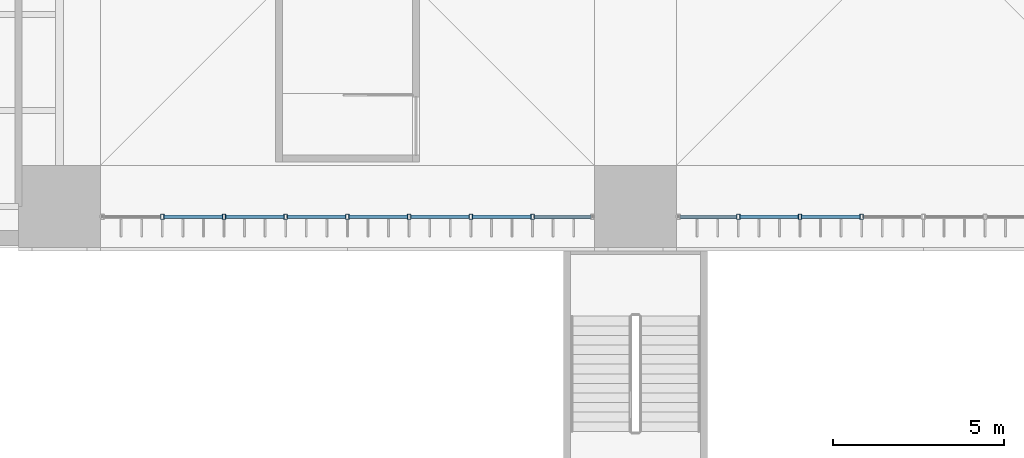
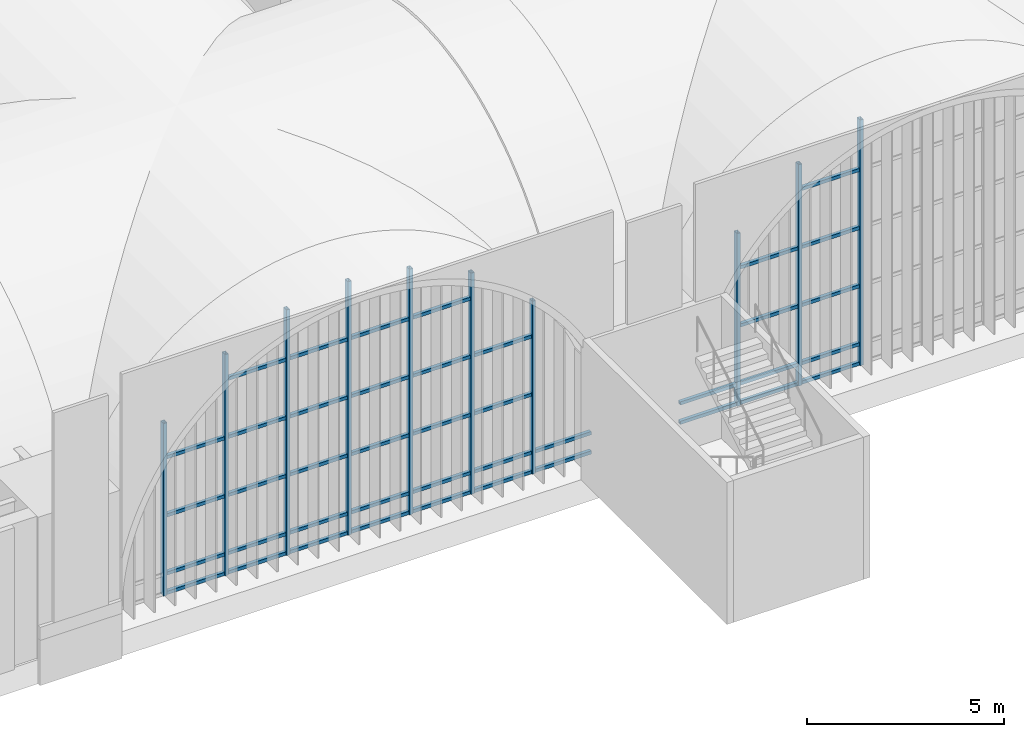
# One storey, part 22 of 169: 51 members, 2 elements without a shape of their own.
"""IFC4 building model written with IfcOpenShell, lengths in metres."""

from ifc_helpers import new_model, si_unit, direction, frame, origin, origin_2d, place, context, subcontext, project, spatial, hollow_rectangle, extrude, material, layer, layer_set, material_profile, profile_set, type_object, element, aggregate, save


model = new_model("IFC4")

# Units and contexts
model_context = context("Model", 3, precision=1e-05, world=origin(), true_north=direction((0.0, 1.0)))
body_context = subcontext(model_context, "Body", "Model", "MODEL_VIEW")
ifc_project = project(units=[si_unit("LENGTHUNIT", "METRE"), si_unit("AREAUNIT", "SQUARE_METRE"), si_unit("VOLUMEUNIT", "CUBIC_METRE"), si_unit("PLANEANGLEUNIT", "RADIAN"), si_unit("MASSUNIT", "GRAM", prefix="KILO")], contexts=[model_context])

# Site, building, storey
site_placement = place(None, origin())
site = spatial("IfcSite", under=ifc_project, at=site_placement, CompositionType="ELEMENT")
building_placement = place(site_placement, origin())
building = spatial("IfcBuilding", under=site, at=building_placement, Name="Verrick Yard Athletic Hall", CompositionType="ELEMENT")
storey_placement = place(building_placement, frame((0.0, 0.0, 4.39990234375)))
storey = spatial("IfcBuildingStorey", under=building, at=storey_placement, Name="L01", CompositionType="ELEMENT", Elevation=4.39990234375)

# Curtain wall, members
ifc_material_1 = material(Name="Aluminium and glass curtain wall", Category="aluminium")
ifc_layer = layer(ifc_material_1, 0.14990234375)
ifc_layer_set = layer_set([ifc_layer], Name="Arcade glazing arch")
curtain_wall_type = type_object("IfcCurtainWallType", Name="Arcade glazing arch", PredefinedType="NOTDEFINED", material=ifc_layer_set)
curtain_wall_1_placement = place(storey_placement, origin())
curtain_wall_1 = element("IfcCurtainWall", 1, at=curtain_wall_1_placement, inside=storey, type_object=curtain_wall_type, Name="Arcade glazing S1", PredefinedType="NOTDEFINED")
ifc_material_2 = material(Name="Structural steel HSS Class C 350W (CSA G40.20/G40.21)", Category="steel")
ifc_material_profile_1 = material_profile(ifc_material_2, hollow_rectangle(XDim=0.1015625, YDim=0.15234375, WallThickness=0.008056640625, at=origin_2d()), Name="HSS152x102x7.9")
ifc_profile_set_1 = profile_set([ifc_material_profile_1], Name="Structural steel HSS Class C 350W (CSA G40.20/G40.21)")
member_type_1 = type_object("IfcMemberType", Name="Curtain wall mullion HSS152x102x7.9", PredefinedType="MULLION", material=ifc_profile_set_1)
member_1_placement = place(storey_placement, frame((43.0, 18.89990234375, 0.0), z_axis=(0.0, 0.0, 1.0), x_axis=(1.0, 0.0, 0.0)))
member_1 = element("IfcMember", 2, at=member_1_placement, type_object=member_type_1, Name="Arcade glazing S1 mullion 2", PredefinedType="MULLION", context=body_context, shape_type="SweptSolid", body=[
    extrude(hollow_rectangle(XDim=0.1015625, YDim=0.15234375, WallThickness=0.008056640625, at=origin_2d()), origin(), (0.0, 0.0, 1.0), 5.351806640625),
])
member_2_placement = place(storey_placement, frame((44.800048828125, 18.89990234375, 0.0), z_axis=(0.0, 0.0, 1.0), x_axis=(1.0, 0.0, 0.0)))
member_2 = element("IfcMember", 3, at=member_2_placement, type_object=member_type_1, Name="Arcade glazing S1 mullion 3", PredefinedType="MULLION", context=body_context, shape_type="SweptSolid", body=[
    extrude(hollow_rectangle(XDim=0.1015625, YDim=0.15234375, WallThickness=0.008056640625, at=origin_2d()), origin(), (0.0, 0.0, 1.0), 6.8544921875),
])
member_3_placement = place(storey_placement, frame((46.60009765625, 18.89990234375, 0.0), z_axis=(0.0, 0.0, 1.0), x_axis=(1.0, 0.0, 0.0)))
member_3 = element("IfcMember", 4, at=member_3_placement, type_object=member_type_1, Name="Arcade glazing S1 mullion 4", PredefinedType="MULLION", context=body_context, shape_type="SweptSolid", body=[
    extrude(hollow_rectangle(XDim=0.1015625, YDim=0.15234375, WallThickness=0.008056640625, at=origin_2d()), origin(), (0.0, 0.0, 1.0), 7.607666015625),
])
member_4_placement = place(storey_placement, frame((48.39990234375, 18.89990234375, 0.0), z_axis=(0.0, 0.0, 1.0), x_axis=(1.0, 0.0, 0.0)))
member_4 = element("IfcMember", 5, at=member_4_placement, type_object=member_type_1, Name="Arcade glazing S1 mullion 5", PredefinedType="MULLION", context=body_context, shape_type="SweptSolid", body=[
    extrude(hollow_rectangle(XDim=0.1015625, YDim=0.15234375, WallThickness=0.008056640625, at=origin_2d()), origin(), (0.0, 0.0, 1.0), 7.8486328125),
])
member_5_placement = place(storey_placement, frame((50.199951171875, 18.89990234375, 0.0), z_axis=(0.0, 0.0, 1.0), x_axis=(1.0, 0.0, 0.0)))
member_5 = element("IfcMember", 6, at=member_5_placement, type_object=member_type_1, Name="Arcade glazing S1 mullion 6", PredefinedType="MULLION", context=body_context, shape_type="SweptSolid", body=[
    extrude(hollow_rectangle(XDim=0.1015625, YDim=0.15234375, WallThickness=0.008056640625, at=origin_2d()), origin(), (0.0, 0.0, 1.0), 7.607666015625),
])
member_6_placement = place(storey_placement, frame((52.0, 18.89990234375, 0.0), z_axis=(0.0, 0.0, 1.0), x_axis=(1.0, 0.0, 0.0)))
member_6 = element("IfcMember", 7, at=member_6_placement, type_object=member_type_1, Name="Arcade glazing S1 mullion 7", PredefinedType="MULLION", context=body_context, shape_type="SweptSolid", body=[
    extrude(hollow_rectangle(XDim=0.1015625, YDim=0.15234375, WallThickness=0.008056640625, at=origin_2d()), origin(), (0.0, 0.0, 1.0), 6.8544921875),
])
member_7_placement = place(storey_placement, frame((53.800048828125, 18.89990234375, 0.0), z_axis=(0.0, 0.0, 1.0), x_axis=(1.0, 0.0, 0.0)))
member_7 = element("IfcMember", 8, at=member_7_placement, type_object=member_type_1, Name="Arcade glazing S1 mullion 8", PredefinedType="MULLION", context=body_context, shape_type="SweptSolid", body=[
    extrude(hollow_rectangle(XDim=0.1015625, YDim=0.15234375, WallThickness=0.008056640625, at=origin_2d()), origin(), (0.0, 0.0, 1.0), 5.351806640625),
])

curtain_wall_2_placement = place(storey_placement, origin())
curtain_wall_2 = element("IfcCurtainWall", 9, at=curtain_wall_2_placement, inside=storey, type_object=curtain_wall_type, Name="Arcade glazing S2", PredefinedType="NOTDEFINED")
member_8_placement = place(storey_placement, frame((59.800048828125, 18.89990234375, 0.0), z_axis=(0.0, 0.0, 1.0), x_axis=(1.0, 0.0, 0.0)))
member_8 = element("IfcMember", 10, at=member_8_placement, type_object=member_type_1, Name="Arcade glazing S2 mullion 2", PredefinedType="MULLION", context=body_context, shape_type="SweptSolid", body=[
    extrude(hollow_rectangle(XDim=0.1015625, YDim=0.15234375, WallThickness=0.008056640625, at=origin_2d()), origin(), (0.0, 0.0, 1.0), 5.351806640625),
])
member_9_placement = place(storey_placement, frame((61.60009765625, 18.89990234375, 0.0), z_axis=(0.0, 0.0, 1.0), x_axis=(1.0, 0.0, 0.0)))
member_9 = element("IfcMember", 11, at=member_9_placement, type_object=member_type_1, Name="Arcade glazing S2 mullion 3", PredefinedType="MULLION", context=body_context, shape_type="SweptSolid", body=[
    extrude(hollow_rectangle(XDim=0.1015625, YDim=0.15234375, WallThickness=0.008056640625, at=origin_2d()), origin(), (0.0, 0.0, 1.0), 6.8544921875),
])
member_10_placement = place(storey_placement, frame((63.39990234375, 18.89990234375, 0.0), z_axis=(0.0, 0.0, 1.0), x_axis=(1.0, 0.0, 0.0)))
member_10 = element("IfcMember", 12, at=member_10_placement, type_object=member_type_1, Name="Arcade glazing S2 mullion 4", PredefinedType="MULLION", context=body_context, shape_type="SweptSolid", body=[
    extrude(hollow_rectangle(XDim=0.1015625, YDim=0.15234375, WallThickness=0.008056640625, at=origin_2d()), origin(), (0.0, 0.0, 1.0), 7.607666015625),
])

# Member
ifc_material_profile_2 = material_profile(ifc_material_2, hollow_rectangle(XDim=0.1015625, YDim=0.1015625, WallThickness=0.00634765625, at=origin_2d()), Name="HSS102x102x6.4")
ifc_profile_set_2 = profile_set([ifc_material_profile_2], Name="Structural steel HSS Class C 350W (CSA G40.20/G40.21)")
member_type_2 = type_object("IfcMemberType", Name="Curtain wall transom HSS102x102x6.4", PredefinedType="USERDEFINED", material=ifc_profile_set_2)
member_11_placement = place(storey_placement, frame((43.05078125, 18.89990234375, 0.05078125), z_axis=(1.0, 0.0, 0.0), x_axis=(0.0, 1.0, 0.0)))
member_11 = element("IfcMember", 13, at=member_11_placement, type_object=member_type_2, Name="Arcade glazing S1 transom 3", ObjectType="TRANSOM", PredefinedType="USERDEFINED", context=body_context, shape_type="SweptSolid", body=[
    extrude(hollow_rectangle(XDim=0.1015625, YDim=0.1015625, WallThickness=0.00634765625, at=origin_2d()), origin(), (0.0, 0.0, 1.0), 1.698486328125),
])

member_12_placement = place(storey_placement, frame((43.05078125, 18.89990234375, 0.650146484375), z_axis=(1.0, 0.0, 0.0), x_axis=(0.0, 1.0, 0.0)))
member_12 = element("IfcMember", 14, at=member_12_placement, type_object=member_type_2, Name="Arcade glazing S1 transom 4", ObjectType="TRANSOM", PredefinedType="USERDEFINED", context=body_context, shape_type="SweptSolid", body=[
    extrude(hollow_rectangle(XDim=0.1015625, YDim=0.1015625, WallThickness=0.00634765625, at=origin_2d()), origin(), (0.0, 0.0, 1.0), 1.698486328125),
])

member_13_placement = place(storey_placement, frame((43.05078125, 18.89990234375, 2.4501953125), z_axis=(1.0, 0.0, 0.0), x_axis=(0.0, 1.0, 0.0)))
member_13 = element("IfcMember", 15, at=member_13_placement, type_object=member_type_2, Name="Arcade glazing S1 transom 5", ObjectType="TRANSOM", PredefinedType="USERDEFINED", context=body_context, shape_type="SweptSolid", body=[
    extrude(hollow_rectangle(XDim=0.1015625, YDim=0.1015625, WallThickness=0.00634765625, at=origin_2d()), origin(), (0.0, 0.0, 1.0), 1.698486328125),
])

member_14_placement = place(storey_placement, frame((43.05078125, 18.89990234375, 4.25), z_axis=(1.0, 0.0, 0.0), x_axis=(0.0, 1.0, 0.0)))
member_14 = element("IfcMember", 16, at=member_14_placement, type_object=member_type_2, Name="Arcade glazing S1 transom 6", ObjectType="TRANSOM", PredefinedType="USERDEFINED", context=body_context, shape_type="SweptSolid", body=[
    extrude(hollow_rectangle(XDim=0.1015625, YDim=0.1015625, WallThickness=0.00634765625, at=origin_2d()), origin(), (0.0, 0.0, 1.0), 1.698486328125),
])

member_15_placement = place(storey_placement, frame((44.850830078125, 18.89990234375, 0.05078125), z_axis=(1.0, 0.0, 0.0), x_axis=(0.0, 1.0, 0.0)))
member_15 = element("IfcMember", 17, at=member_15_placement, type_object=member_type_2, Name="Arcade glazing S1 transom 7", ObjectType="TRANSOM", PredefinedType="USERDEFINED", context=body_context, shape_type="SweptSolid", body=[
    extrude(hollow_rectangle(XDim=0.1015625, YDim=0.1015625, WallThickness=0.00634765625, at=origin_2d()), origin(), (0.0, 0.0, 1.0), 1.698486328125),
])

member_16_placement = place(storey_placement, frame((44.850830078125, 18.89990234375, 0.650146484375), z_axis=(1.0, 0.0, 0.0), x_axis=(0.0, 1.0, 0.0)))
member_16 = element("IfcMember", 18, at=member_16_placement, type_object=member_type_2, Name="Arcade glazing S1 transom 8", ObjectType="TRANSOM", PredefinedType="USERDEFINED", context=body_context, shape_type="SweptSolid", body=[
    extrude(hollow_rectangle(XDim=0.1015625, YDim=0.1015625, WallThickness=0.00634765625, at=origin_2d()), origin(), (0.0, 0.0, 1.0), 1.698486328125),
])

member_17_placement = place(storey_placement, frame((44.850830078125, 18.89990234375, 2.4501953125), z_axis=(1.0, 0.0, 0.0), x_axis=(0.0, 1.0, 0.0)))
member_17 = element("IfcMember", 19, at=member_17_placement, type_object=member_type_2, Name="Arcade glazing S1 transom 9", ObjectType="TRANSOM", PredefinedType="USERDEFINED", context=body_context, shape_type="SweptSolid", body=[
    extrude(hollow_rectangle(XDim=0.1015625, YDim=0.1015625, WallThickness=0.00634765625, at=origin_2d()), origin(), (0.0, 0.0, 1.0), 1.698486328125),
])

member_18_placement = place(storey_placement, frame((44.850830078125, 18.89990234375, 4.25), z_axis=(1.0, 0.0, 0.0), x_axis=(0.0, 1.0, 0.0)))
member_18 = element("IfcMember", 20, at=member_18_placement, type_object=member_type_2, Name="Arcade glazing S1 transom 10", ObjectType="TRANSOM", PredefinedType="USERDEFINED", context=body_context, shape_type="SweptSolid", body=[
    extrude(hollow_rectangle(XDim=0.1015625, YDim=0.1015625, WallThickness=0.00634765625, at=origin_2d()), origin(), (0.0, 0.0, 1.0), 1.698486328125),
])

member_19_placement = place(storey_placement, frame((44.850830078125, 18.89990234375, 6.050048828125), z_axis=(1.0, 0.0, 0.0), x_axis=(0.0, 1.0, 0.0)))
member_19 = element("IfcMember", 21, at=member_19_placement, type_object=member_type_2, Name="Arcade glazing S1 transom 11", ObjectType="TRANSOM", PredefinedType="USERDEFINED", context=body_context, shape_type="SweptSolid", body=[
    extrude(hollow_rectangle(XDim=0.1015625, YDim=0.1015625, WallThickness=0.00634765625, at=origin_2d()), origin(), (0.0, 0.0, 1.0), 1.698486328125),
])

member_20_placement = place(storey_placement, frame((46.65087890625, 18.89990234375, 0.05078125), z_axis=(1.0, 0.0, 0.0), x_axis=(0.0, 1.0, 0.0)))
member_20 = element("IfcMember", 22, at=member_20_placement, type_object=member_type_2, Name="Arcade glazing S1 transom 12", ObjectType="TRANSOM", PredefinedType="USERDEFINED", context=body_context, shape_type="SweptSolid", body=[
    extrude(hollow_rectangle(XDim=0.1015625, YDim=0.1015625, WallThickness=0.00634765625, at=origin_2d()), origin(), (0.0, 0.0, 1.0), 1.6982421875),
])

member_21_placement = place(storey_placement, frame((46.65087890625, 18.89990234375, 0.650146484375), z_axis=(1.0, 0.0, 0.0), x_axis=(0.0, 1.0, 0.0)))
member_21 = element("IfcMember", 23, at=member_21_placement, type_object=member_type_2, Name="Arcade glazing S1 transom 13", ObjectType="TRANSOM", PredefinedType="USERDEFINED", context=body_context, shape_type="SweptSolid", body=[
    extrude(hollow_rectangle(XDim=0.1015625, YDim=0.1015625, WallThickness=0.00634765625, at=origin_2d()), origin(), (0.0, 0.0, 1.0), 1.6982421875),
])

member_22_placement = place(storey_placement, frame((46.65087890625, 18.89990234375, 2.4501953125), z_axis=(1.0, 0.0, 0.0), x_axis=(0.0, 1.0, 0.0)))
member_22 = element("IfcMember", 24, at=member_22_placement, type_object=member_type_2, Name="Arcade glazing S1 transom 14", ObjectType="TRANSOM", PredefinedType="USERDEFINED", context=body_context, shape_type="SweptSolid", body=[
    extrude(hollow_rectangle(XDim=0.1015625, YDim=0.1015625, WallThickness=0.00634765625, at=origin_2d()), origin(), (0.0, 0.0, 1.0), 1.6982421875),
])

member_23_placement = place(storey_placement, frame((46.65087890625, 18.89990234375, 4.25), z_axis=(1.0, 0.0, 0.0), x_axis=(0.0, 1.0, 0.0)))
member_23 = element("IfcMember", 25, at=member_23_placement, type_object=member_type_2, Name="Arcade glazing S1 transom 15", ObjectType="TRANSOM", PredefinedType="USERDEFINED", context=body_context, shape_type="SweptSolid", body=[
    extrude(hollow_rectangle(XDim=0.1015625, YDim=0.1015625, WallThickness=0.00634765625, at=origin_2d()), origin(), (0.0, 0.0, 1.0), 1.6982421875),
])

member_24_placement = place(storey_placement, frame((46.65087890625, 18.89990234375, 6.050048828125), z_axis=(1.0, 0.0, 0.0), x_axis=(0.0, 1.0, 0.0)))
member_24 = element("IfcMember", 26, at=member_24_placement, type_object=member_type_2, Name="Arcade glazing S1 transom 16", ObjectType="TRANSOM", PredefinedType="USERDEFINED", context=body_context, shape_type="SweptSolid", body=[
    extrude(hollow_rectangle(XDim=0.1015625, YDim=0.1015625, WallThickness=0.00634765625, at=origin_2d()), origin(), (0.0, 0.0, 1.0), 1.6982421875),
])

member_25_placement = place(storey_placement, frame((48.45068359375, 18.89990234375, 0.05078125), z_axis=(1.0, 0.0, 0.0), x_axis=(0.0, 1.0, 0.0)))
member_25 = element("IfcMember", 27, at=member_25_placement, type_object=member_type_2, Name="Arcade glazing S1 transom 17", ObjectType="TRANSOM", PredefinedType="USERDEFINED", context=body_context, shape_type="SweptSolid", body=[
    extrude(hollow_rectangle(XDim=0.1015625, YDim=0.1015625, WallThickness=0.00634765625, at=origin_2d()), origin(), (0.0, 0.0, 1.0), 1.698486328125),
])

member_26_placement = place(storey_placement, frame((48.45068359375, 18.89990234375, 0.650146484375), z_axis=(1.0, 0.0, 0.0), x_axis=(0.0, 1.0, 0.0)))
member_26 = element("IfcMember", 28, at=member_26_placement, type_object=member_type_2, Name="Arcade glazing S1 transom 18", ObjectType="TRANSOM", PredefinedType="USERDEFINED", context=body_context, shape_type="SweptSolid", body=[
    extrude(hollow_rectangle(XDim=0.1015625, YDim=0.1015625, WallThickness=0.00634765625, at=origin_2d()), origin(), (0.0, 0.0, 1.0), 1.698486328125),
])

member_27_placement = place(storey_placement, frame((48.45068359375, 18.89990234375, 2.4501953125), z_axis=(1.0, 0.0, 0.0), x_axis=(0.0, 1.0, 0.0)))
member_27 = element("IfcMember", 29, at=member_27_placement, type_object=member_type_2, Name="Arcade glazing S1 transom 19", ObjectType="TRANSOM", PredefinedType="USERDEFINED", context=body_context, shape_type="SweptSolid", body=[
    extrude(hollow_rectangle(XDim=0.1015625, YDim=0.1015625, WallThickness=0.00634765625, at=origin_2d()), origin(), (0.0, 0.0, 1.0), 1.698486328125),
])

member_28_placement = place(storey_placement, frame((48.45068359375, 18.89990234375, 4.25), z_axis=(1.0, 0.0, 0.0), x_axis=(0.0, 1.0, 0.0)))
member_28 = element("IfcMember", 30, at=member_28_placement, type_object=member_type_2, Name="Arcade glazing S1 transom 20", ObjectType="TRANSOM", PredefinedType="USERDEFINED", context=body_context, shape_type="SweptSolid", body=[
    extrude(hollow_rectangle(XDim=0.1015625, YDim=0.1015625, WallThickness=0.00634765625, at=origin_2d()), origin(), (0.0, 0.0, 1.0), 1.698486328125),
])

member_29_placement = place(storey_placement, frame((48.45068359375, 18.89990234375, 6.050048828125), z_axis=(1.0, 0.0, 0.0), x_axis=(0.0, 1.0, 0.0)))
member_29 = element("IfcMember", 31, at=member_29_placement, type_object=member_type_2, Name="Arcade glazing S1 transom 21", ObjectType="TRANSOM", PredefinedType="USERDEFINED", context=body_context, shape_type="SweptSolid", body=[
    extrude(hollow_rectangle(XDim=0.1015625, YDim=0.1015625, WallThickness=0.00634765625, at=origin_2d()), origin(), (0.0, 0.0, 1.0), 1.698486328125),
])

member_30_placement = place(storey_placement, frame((50.250732421875, 18.89990234375, 0.05078125), z_axis=(1.0, 0.0, 0.0), x_axis=(0.0, 1.0, 0.0)))
member_30 = element("IfcMember", 32, at=member_30_placement, type_object=member_type_2, Name="Arcade glazing S1 transom 22", ObjectType="TRANSOM", PredefinedType="USERDEFINED", context=body_context, shape_type="SweptSolid", body=[
    extrude(hollow_rectangle(XDim=0.1015625, YDim=0.1015625, WallThickness=0.00634765625, at=origin_2d()), origin(), (0.0, 0.0, 1.0), 1.698486328125),
])

member_31_placement = place(storey_placement, frame((50.250732421875, 18.89990234375, 0.650146484375), z_axis=(1.0, 0.0, 0.0), x_axis=(0.0, 1.0, 0.0)))
member_31 = element("IfcMember", 33, at=member_31_placement, type_object=member_type_2, Name="Arcade glazing S1 transom 23", ObjectType="TRANSOM", PredefinedType="USERDEFINED", context=body_context, shape_type="SweptSolid", body=[
    extrude(hollow_rectangle(XDim=0.1015625, YDim=0.1015625, WallThickness=0.00634765625, at=origin_2d()), origin(), (0.0, 0.0, 1.0), 1.698486328125),
])

member_32_placement = place(storey_placement, frame((50.250732421875, 18.89990234375, 2.4501953125), z_axis=(1.0, 0.0, 0.0), x_axis=(0.0, 1.0, 0.0)))
member_32 = element("IfcMember", 34, at=member_32_placement, type_object=member_type_2, Name="Arcade glazing S1 transom 24", ObjectType="TRANSOM", PredefinedType="USERDEFINED", context=body_context, shape_type="SweptSolid", body=[
    extrude(hollow_rectangle(XDim=0.1015625, YDim=0.1015625, WallThickness=0.00634765625, at=origin_2d()), origin(), (0.0, 0.0, 1.0), 1.698486328125),
])

member_33_placement = place(storey_placement, frame((50.250732421875, 18.89990234375, 4.25), z_axis=(1.0, 0.0, 0.0), x_axis=(0.0, 1.0, 0.0)))
member_33 = element("IfcMember", 35, at=member_33_placement, type_object=member_type_2, Name="Arcade glazing S1 transom 25", ObjectType="TRANSOM", PredefinedType="USERDEFINED", context=body_context, shape_type="SweptSolid", body=[
    extrude(hollow_rectangle(XDim=0.1015625, YDim=0.1015625, WallThickness=0.00634765625, at=origin_2d()), origin(), (0.0, 0.0, 1.0), 1.698486328125),
])

member_34_placement = place(storey_placement, frame((50.250732421875, 18.89990234375, 6.050048828125), z_axis=(1.0, 0.0, 0.0), x_axis=(0.0, 1.0, 0.0)))
member_34 = element("IfcMember", 36, at=member_34_placement, type_object=member_type_2, Name="Arcade glazing S1 transom 26", ObjectType="TRANSOM", PredefinedType="USERDEFINED", context=body_context, shape_type="SweptSolid", body=[
    extrude(hollow_rectangle(XDim=0.1015625, YDim=0.1015625, WallThickness=0.00634765625, at=origin_2d()), origin(), (0.0, 0.0, 1.0), 1.698486328125),
])

member_35_placement = place(storey_placement, frame((52.05078125, 18.89990234375, 0.05078125), z_axis=(1.0, 0.0, 0.0), x_axis=(0.0, 1.0, 0.0)))
member_35 = element("IfcMember", 37, at=member_35_placement, type_object=member_type_2, Name="Arcade glazing S1 transom 27", ObjectType="TRANSOM", PredefinedType="USERDEFINED", context=body_context, shape_type="SweptSolid", body=[
    extrude(hollow_rectangle(XDim=0.1015625, YDim=0.1015625, WallThickness=0.00634765625, at=origin_2d()), origin(), (0.0, 0.0, 1.0), 1.698486328125),
])

member_36_placement = place(storey_placement, frame((52.05078125, 18.89990234375, 0.650146484375), z_axis=(1.0, 0.0, 0.0), x_axis=(0.0, 1.0, 0.0)))
member_36 = element("IfcMember", 38, at=member_36_placement, type_object=member_type_2, Name="Arcade glazing S1 transom 28", ObjectType="TRANSOM", PredefinedType="USERDEFINED", context=body_context, shape_type="SweptSolid", body=[
    extrude(hollow_rectangle(XDim=0.1015625, YDim=0.1015625, WallThickness=0.00634765625, at=origin_2d()), origin(), (0.0, 0.0, 1.0), 1.698486328125),
])

member_37_placement = place(storey_placement, frame((52.05078125, 18.89990234375, 2.4501953125), z_axis=(1.0, 0.0, 0.0), x_axis=(0.0, 1.0, 0.0)))
member_37 = element("IfcMember", 39, at=member_37_placement, type_object=member_type_2, Name="Arcade glazing S1 transom 29", ObjectType="TRANSOM", PredefinedType="USERDEFINED", context=body_context, shape_type="SweptSolid", body=[
    extrude(hollow_rectangle(XDim=0.1015625, YDim=0.1015625, WallThickness=0.00634765625, at=origin_2d()), origin(), (0.0, 0.0, 1.0), 1.698486328125),
])

member_38_placement = place(storey_placement, frame((52.05078125, 18.89990234375, 4.25), z_axis=(1.0, 0.0, 0.0), x_axis=(0.0, 1.0, 0.0)))
member_38 = element("IfcMember", 40, at=member_38_placement, type_object=member_type_2, Name="Arcade glazing S1 transom 30", ObjectType="TRANSOM", PredefinedType="USERDEFINED", context=body_context, shape_type="SweptSolid", body=[
    extrude(hollow_rectangle(XDim=0.1015625, YDim=0.1015625, WallThickness=0.00634765625, at=origin_2d()), origin(), (0.0, 0.0, 1.0), 1.698486328125),
])

member_39_placement = place(storey_placement, frame((53.850830078125, 18.89990234375, 0.05078125), z_axis=(1.0, 0.0, 0.0), x_axis=(0.0, 1.0, 0.0)))
member_39 = element("IfcMember", 41, at=member_39_placement, type_object=member_type_2, Name="Arcade glazing S1 transom 31", ObjectType="TRANSOM", PredefinedType="USERDEFINED", context=body_context, shape_type="SweptSolid", body=[
    extrude(hollow_rectangle(XDim=0.1015625, YDim=0.1015625, WallThickness=0.00634765625, at=origin_2d()), origin(), (0.0, 0.0, 1.0), 1.64697265625),
])

member_40_placement = place(storey_placement, frame((53.850830078125, 18.89990234375, 0.650146484375), z_axis=(1.0, 0.0, 0.0), x_axis=(0.0, 1.0, 0.0)))
member_40 = element("IfcMember", 42, at=member_40_placement, type_object=member_type_2, Name="Arcade glazing S1 transom 32", ObjectType="TRANSOM", PredefinedType="USERDEFINED", context=body_context, shape_type="SweptSolid", body=[
    extrude(hollow_rectangle(XDim=0.1015625, YDim=0.1015625, WallThickness=0.00634765625, at=origin_2d()), origin(), (0.0, 0.0, 1.0), 1.64697265625),
])

aggregate(curtain_wall_1, [member_1, member_2, member_3, member_4, member_5, member_6, member_7, member_11, member_12, member_13, member_14, member_15, member_16, member_17, member_18, member_19, member_20, member_21, member_22, member_23, member_24, member_25, member_26, member_27, member_28, member_29, member_30, member_31, member_32, member_33, member_34, member_35, member_36, member_37, member_38, member_39, member_40])

member_41_placement = place(storey_placement, frame((58.10205078125, 18.89990234375, 0.05078125), z_axis=(1.0, 0.0, 0.0), x_axis=(0.0, 1.0, 0.0)))
member_41 = element("IfcMember", 43, at=member_41_placement, type_object=member_type_2, Name="Arcade glazing S2 transom 1", ObjectType="TRANSOM", PredefinedType="USERDEFINED", context=body_context, shape_type="SweptSolid", body=[
    extrude(hollow_rectangle(XDim=0.1015625, YDim=0.1015625, WallThickness=0.00634765625, at=origin_2d()), origin(), (0.0, 0.0, 1.0), 1.647216796875),
])

member_42_placement = place(storey_placement, frame((58.10205078125, 18.89990234375, 0.650146484375), z_axis=(1.0, 0.0, 0.0), x_axis=(0.0, 1.0, 0.0)))
member_42 = element("IfcMember", 44, at=member_42_placement, type_object=member_type_2, Name="Arcade glazing S2 transom 2", ObjectType="TRANSOM", PredefinedType="USERDEFINED", context=body_context, shape_type="SweptSolid", body=[
    extrude(hollow_rectangle(XDim=0.1015625, YDim=0.1015625, WallThickness=0.00634765625, at=origin_2d()), origin(), (0.0, 0.0, 1.0), 1.647216796875),
])

member_43_placement = place(storey_placement, frame((59.850830078125, 18.89990234375, 0.05078125), z_axis=(1.0, 0.0, 0.0), x_axis=(0.0, 1.0, 0.0)))
member_43 = element("IfcMember", 45, at=member_43_placement, type_object=member_type_2, Name="Arcade glazing S2 transom 3", ObjectType="TRANSOM", PredefinedType="USERDEFINED", context=body_context, shape_type="SweptSolid", body=[
    extrude(hollow_rectangle(XDim=0.1015625, YDim=0.1015625, WallThickness=0.00634765625, at=origin_2d()), origin(), (0.0, 0.0, 1.0), 1.698486328125),
])

member_44_placement = place(storey_placement, frame((59.850830078125, 18.89990234375, 0.650146484375), z_axis=(1.0, 0.0, 0.0), x_axis=(0.0, 1.0, 0.0)))
member_44 = element("IfcMember", 46, at=member_44_placement, type_object=member_type_2, Name="Arcade glazing S2 transom 4", ObjectType="TRANSOM", PredefinedType="USERDEFINED", context=body_context, shape_type="SweptSolid", body=[
    extrude(hollow_rectangle(XDim=0.1015625, YDim=0.1015625, WallThickness=0.00634765625, at=origin_2d()), origin(), (0.0, 0.0, 1.0), 1.698486328125),
])

member_45_placement = place(storey_placement, frame((59.850830078125, 18.89990234375, 2.4501953125), z_axis=(1.0, 0.0, 0.0), x_axis=(0.0, 1.0, 0.0)))
member_45 = element("IfcMember", 47, at=member_45_placement, type_object=member_type_2, Name="Arcade glazing S2 transom 5", ObjectType="TRANSOM", PredefinedType="USERDEFINED", context=body_context, shape_type="SweptSolid", body=[
    extrude(hollow_rectangle(XDim=0.1015625, YDim=0.1015625, WallThickness=0.00634765625, at=origin_2d()), origin(), (0.0, 0.0, 1.0), 1.698486328125),
])

member_46_placement = place(storey_placement, frame((59.850830078125, 18.89990234375, 4.25), z_axis=(1.0, 0.0, 0.0), x_axis=(0.0, 1.0, 0.0)))
member_46 = element("IfcMember", 48, at=member_46_placement, type_object=member_type_2, Name="Arcade glazing S2 transom 6", ObjectType="TRANSOM", PredefinedType="USERDEFINED", context=body_context, shape_type="SweptSolid", body=[
    extrude(hollow_rectangle(XDim=0.1015625, YDim=0.1015625, WallThickness=0.00634765625, at=origin_2d()), origin(), (0.0, 0.0, 1.0), 1.698486328125),
])

member_47_placement = place(storey_placement, frame((61.65087890625, 18.89990234375, 0.05078125), z_axis=(1.0, 0.0, 0.0), x_axis=(0.0, 1.0, 0.0)))
member_47 = element("IfcMember", 49, at=member_47_placement, type_object=member_type_2, Name="Arcade glazing S2 transom 7", ObjectType="TRANSOM", PredefinedType="USERDEFINED", context=body_context, shape_type="SweptSolid", body=[
    extrude(hollow_rectangle(XDim=0.1015625, YDim=0.1015625, WallThickness=0.00634765625, at=origin_2d()), origin(), (0.0, 0.0, 1.0), 1.6982421875),
])

member_48_placement = place(storey_placement, frame((61.65087890625, 18.89990234375, 0.650146484375), z_axis=(1.0, 0.0, 0.0), x_axis=(0.0, 1.0, 0.0)))
member_48 = element("IfcMember", 50, at=member_48_placement, type_object=member_type_2, Name="Arcade glazing S2 transom 8", ObjectType="TRANSOM", PredefinedType="USERDEFINED", context=body_context, shape_type="SweptSolid", body=[
    extrude(hollow_rectangle(XDim=0.1015625, YDim=0.1015625, WallThickness=0.00634765625, at=origin_2d()), origin(), (0.0, 0.0, 1.0), 1.6982421875),
])

member_49_placement = place(storey_placement, frame((61.65087890625, 18.89990234375, 2.4501953125), z_axis=(1.0, 0.0, 0.0), x_axis=(0.0, 1.0, 0.0)))
member_49 = element("IfcMember", 51, at=member_49_placement, type_object=member_type_2, Name="Arcade glazing S2 transom 9", ObjectType="TRANSOM", PredefinedType="USERDEFINED", context=body_context, shape_type="SweptSolid", body=[
    extrude(hollow_rectangle(XDim=0.1015625, YDim=0.1015625, WallThickness=0.00634765625, at=origin_2d()), origin(), (0.0, 0.0, 1.0), 1.6982421875),
])

member_50_placement = place(storey_placement, frame((61.65087890625, 18.89990234375, 4.25), z_axis=(1.0, 0.0, 0.0), x_axis=(0.0, 1.0, 0.0)))
member_50 = element("IfcMember", 52, at=member_50_placement, type_object=member_type_2, Name="Arcade glazing S2 transom 10", ObjectType="TRANSOM", PredefinedType="USERDEFINED", context=body_context, shape_type="SweptSolid", body=[
    extrude(hollow_rectangle(XDim=0.1015625, YDim=0.1015625, WallThickness=0.00634765625, at=origin_2d()), origin(), (0.0, 0.0, 1.0), 1.6982421875),
])

member_51_placement = place(storey_placement, frame((61.65087890625, 18.89990234375, 6.050048828125), z_axis=(1.0, 0.0, 0.0), x_axis=(0.0, 1.0, 0.0)))
member_51 = element("IfcMember", 53, at=member_51_placement, type_object=member_type_2, Name="Arcade glazing S2 transom 11", ObjectType="TRANSOM", PredefinedType="USERDEFINED", context=body_context, shape_type="SweptSolid", body=[
    extrude(hollow_rectangle(XDim=0.1015625, YDim=0.1015625, WallThickness=0.00634765625, at=origin_2d()), origin(), (0.0, 0.0, 1.0), 1.6982421875),
])

aggregate(curtain_wall_2, [member_8, member_9, member_10, member_41, member_42, member_43, member_44, member_45, member_46, member_47, member_48, member_49, member_50, member_51])

save(model, "model.ifc")
